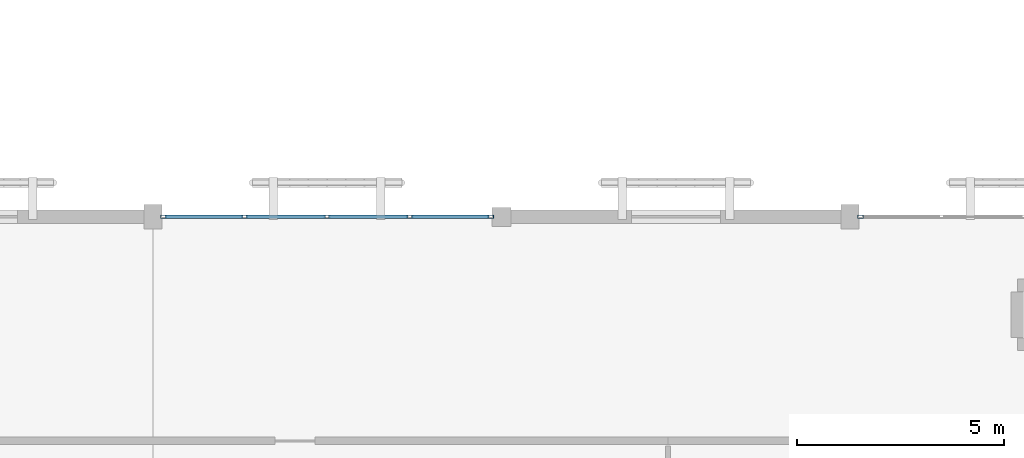
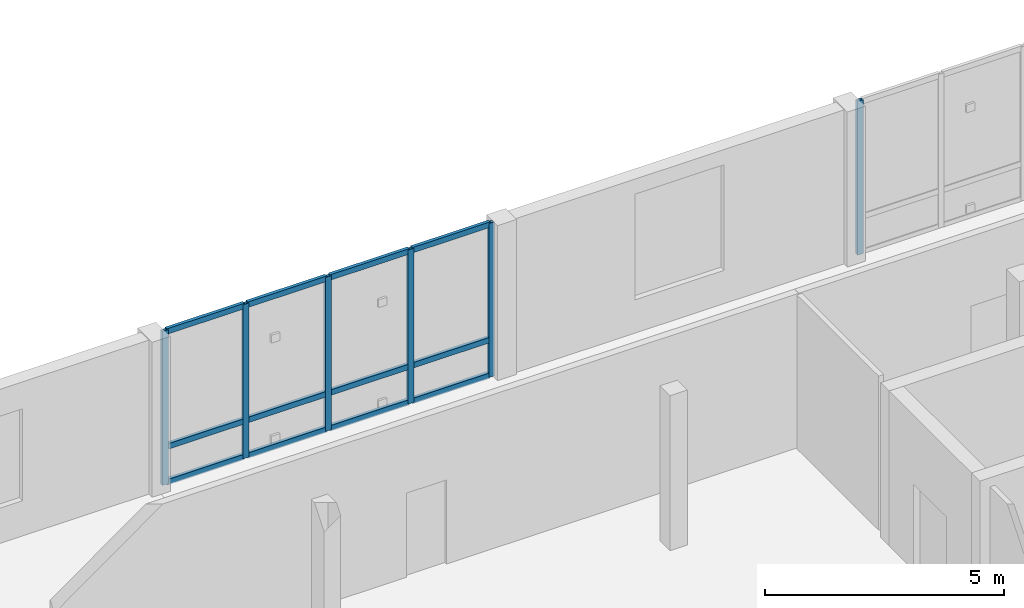
# One storey, part 50 of 217: 18 members, 2 elements without a shape of their own.
"""IFC4 building model written with IfcOpenShell, lengths in metres."""

import ifcopenshell
import ifcopenshell.guid

model = None  # the IFC model being written
_history = None  # IfcOwnerHistory: only IFC2X3 demands one
_inside = {}  # id of a spatial element -> (the spatial element, [elements in it])
_under = {}  # id of a project, library or spatial element -> (it, [spatial elements below it])
_declared = {}  # id of a project -> (the project, [libraries it declares])
_typed = {}  # id of a type object -> (the type object, [elements of that type])
_made_of = {}  # id of a material, layer set ... -> (it, [elements and type objects made of it])


def new_model(schema):
    """Start an empty IFC model of exactly this schema.

    Asked for "IFC4X3", IfcOpenShell would pick the latest addendum, in which some entities
    have other attributes; the version numbers below select the first issue.
    IFC2X3 requires an IfcOwnerHistory on every rooted entity: one is made here for all.
    """
    global model, _history
    if schema == "IFC4X3":
        model = ifcopenshell.file(schema_version=(4, 3, 0, 0))
    else:
        model = ifcopenshell.file(schema=schema)
    _inside.clear()
    _under.clear()
    _declared.clear()
    _typed.clear()
    _made_of.clear()
    _history = None
    if model.schema == "IFC2X3":
        org = make("IfcOrganization", Name="unknown")
        user = make(
            "IfcPersonAndOrganization",
            ThePerson=make("IfcPerson", FamilyName="unknown"),
            TheOrganization=org,
        )
        app = make(
            "IfcApplication",
            ApplicationDeveloper=org,
            Version="unknown",
            ApplicationFullName="unknown",
            ApplicationIdentifier="unknown",
        )
        _history = make(
            "IfcOwnerHistory",
            OwningUser=user,
            OwningApplication=app,
            ChangeAction="ADDED",
            CreationDate=0,
        )
    return model


def make(cls, **values):
    """One entity of the class cls with the attributes given. An attribute that is None is left unset."""
    return model.create_entity(
        cls, **{name: value for name, value in values.items() if value is not None}
    )


def rooted(cls, **values):
    """An entity with a GlobalId (a new one), such as an element, a storey or a relation."""
    return make(cls, GlobalId=ifcopenshell.guid.new(), OwnerHistory=_history, **values)


def si_unit(unit_type, name, prefix=None):
    """IfcSIUnit, for example si_unit("LENGTHUNIT", "METRE", prefix="MILLI")."""
    return make("IfcSIUnit", UnitType=unit_type, Prefix=prefix, Name=name)


def assignment(units):
    """IfcUnitAssignment: the units of a project."""
    return None if units is None else make("IfcUnitAssignment", Units=units)


def point(xyz):
    """IfcCartesianPoint."""
    return None if xyz is None else make("IfcCartesianPoint", Coordinates=xyz)


def direction(xyz):
    """IfcDirection."""
    return None if xyz is None else make("IfcDirection", DirectionRatios=xyz)


def frame(location, z_axis=None, x_axis=None):
    """IfcAxis2Placement3D, a coordinate frame: its origin and axes. An axis left out is left unset."""
    return make(
        "IfcAxis2Placement3D",
        Location=point(location),
        Axis=direction(z_axis),
        RefDirection=direction(x_axis),
    )


def frame_2d(location, x_axis=None):
    """IfcAxis2Placement2D, a coordinate frame in the plane: its origin and x axis."""
    return make(
        "IfcAxis2Placement2D", Location=point(location), RefDirection=direction(x_axis)
    )


def origin():
    """The frame at (0, 0, 0) with its axes left unset."""
    return frame((0.0, 0.0, 0.0))


def origin_2d():
    """The frame at (0, 0) in the plane with its x axis left unset."""
    return frame_2d((0.0, 0.0))


def place(relative_to, where):
    """IfcLocalPlacement: puts the frame where relative to a parent placement (None: the world)."""
    return make(
        "IfcLocalPlacement", PlacementRelTo=relative_to, RelativePlacement=where
    )


def context(
    kind, dimensions, precision=None, world=None, true_north=None, identifier=None
):
    """IfcGeometricRepresentationContext, for example the 3D "Model" context."""
    return make(
        "IfcGeometricRepresentationContext",
        ContextIdentifier=identifier,
        ContextType=kind,
        CoordinateSpaceDimension=dimensions,
        Precision=precision,
        WorldCoordinateSystem=world,
        TrueNorth=true_north,
    )


def subcontext(parent, identifier, kind, view, scale=None):
    """IfcGeometricRepresentationSubContext, for example "Body" below "Model"."""
    return make(
        "IfcGeometricRepresentationSubContext",
        ContextIdentifier=identifier,
        ContextType=kind,
        ParentContext=parent,
        TargetScale=scale,
        TargetView=view,
    )


def project(units=None, contexts=None):
    """IfcProject with its units and contexts."""
    return rooted(
        "IfcProject",
        Name="project",
        RepresentationContexts=contexts,
        UnitsInContext=assignment(units),
    )


def spatial(cls, under=None, at=None, **own):
    """A site, building, storey or space (cls), placed at a placement, below another one or the project."""
    s = rooted(cls, ObjectPlacement=at, **own)
    if under is not None:
        _under.setdefault(under.id(), (under, []))[1].append(s)
    return s


def profile(cls, at=None, kind="AREA", **sizes):
    """A parametric profile (cls). Its sizes go by their IFC names, for example OverallWidth=200.0."""
    return make(cls, ProfileType=kind, Position=at, **sizes)


def hollow_rectangle(**sizes):
    """IfcRectangleHollowProfileDef."""
    return profile("IfcRectangleHollowProfileDef", **sizes)


def extrude(swept, where, along, depth):
    """IfcExtrudedAreaSolid: the profile swept, set in the frame where, extruded along a direction by depth."""
    return make(
        "IfcExtrudedAreaSolid",
        SweptArea=swept,
        Position=where,
        ExtrudedDirection=direction(along),
        Depth=depth,
    )


def shape(context_of_items, identifier, shape_type, items):
    """IfcShapeRepresentation: the items that make up one representation, for example the "Body"."""
    return make(
        "IfcShapeRepresentation",
        ContextOfItems=context_of_items,
        RepresentationIdentifier=identifier,
        RepresentationType=shape_type,
        Items=items,
    )


def material(Name=None, Category=None):
    """IfcMaterial."""
    return make("IfcMaterial", Name=Name, Category=Category)


def layer(
    of_material, thickness, ventilated=None, Name=None, Category=None, Priority=None
):
    """IfcMaterialLayer: one layer of a wall or slab, of a material (None: an air gap)."""
    return make(
        "IfcMaterialLayer",
        Material=of_material,
        LayerThickness=thickness,
        IsVentilated=ventilated,
        Name=Name,
        Category=Category,
        Priority=Priority,
    )


def layer_set(layers, Name=None):
    """IfcMaterialLayerSet."""
    return make("IfcMaterialLayerSet", MaterialLayers=layers, LayerSetName=Name)


def material_profile(
    of_material, cross_section, Name=None, Category=None, Priority=None
):
    """IfcMaterialProfile: a cross section and its material."""
    return make(
        "IfcMaterialProfile",
        Name=Name,
        Material=of_material,
        Profile=cross_section,
        Priority=Priority,
        Category=Category,
    )


def profile_set(profiles, Name=None, composite=None):
    """IfcMaterialProfileSet."""
    return make(
        "IfcMaterialProfileSet",
        Name=Name,
        MaterialProfiles=profiles,
        CompositeProfile=composite,
    )


def made_of(thing, what):
    """Note that an element or type object is made of a material, layer set ...; save() writes the relation."""
    if what is not None:
        _made_of.setdefault(what.id(), (what, []))[1].append(thing)
    return thing


def type_object(cls, material=None, **own):
    """A type object (cls), such as IfcWallType, which elements share."""
    return made_of(rooted(cls, **own), material)


def element(
    cls,
    number,
    at=None,
    inside=None,
    cuts=None,
    type_object=None,
    material=None,
    context=None,
    identifier="Body",
    shape_type=None,
    held_by="IfcProductDefinitionShape",
    body=None,
    shapes=None,
    **own,
):
    """One element of the class cls, such as IfcWall. Its Tag is "e" and its number.

    at: its placement. inside: the storey or other place that contains it. cuts: it is an
    opening in that element (IfcRelVoidsElement). A single representation is given by context,
    identifier, shape_type and body (its items); several are given by shapes. held_by: the class
    of the entity that holds the representations. save() writes the other relations.
    """
    e = rooted(cls, Tag="e%d" % number, ObjectPlacement=at, **own)
    if body is not None:
        shapes = [shape(context, identifier, shape_type, body)]
    if shapes is not None:
        e.Representation = make(held_by, Representations=shapes)
    if inside is not None:
        _inside.setdefault(inside.id(), (inside, []))[1].append(e)
    if cuts is not None:
        rooted(
            "IfcRelVoidsElement", RelatingBuildingElement=cuts, RelatedOpeningElement=e
        )
    if type_object is not None:
        _typed.setdefault(type_object.id(), (type_object, []))[1].append(e)
    return made_of(e, material)


def aggregate(whole, parts):
    """IfcRelAggregates: a whole, such as a stair, and the parts it consists of."""
    return rooted("IfcRelAggregates", RelatingObject=whole, RelatedObjects=parts)


def save(model, path):
    """Write the relations noted so far, then the file.

    IfcRelAggregates (storeys below a building ...), IfcRelContainedInSpatialStructure (elements
    in a storey), IfcRelDefinesByType, IfcRelAssociatesMaterial and IfcRelDeclares: one each for
    every whole, place, type object, material and project.
    """
    for whole, parts in _under.values():
        aggregate(whole, parts)
    for where, things in _inside.values():
        rooted(
            "IfcRelContainedInSpatialStructure",
            RelatedElements=things,
            RelatingStructure=where,
        )
    for kind, things in _typed.values():
        rooted("IfcRelDefinesByType", RelatedObjects=things, RelatingType=kind)
    for what, things in _made_of.values():
        rooted("IfcRelAssociatesMaterial", RelatedObjects=things, RelatingMaterial=what)
    for by, libraries in _declared.values():
        rooted("IfcRelDeclares", RelatingContext=by, RelatedDefinitions=libraries)
    model.write(path)


model = new_model("IFC4")

# Units and contexts
model_context = context("Model", 3, precision=1e-05, world=origin(), true_north=direction((0.0, 1.0)))
body_context = subcontext(model_context, "Body", "Model", "MODEL_VIEW")
ifc_project = project(units=[si_unit("LENGTHUNIT", "METRE"), si_unit("AREAUNIT", "SQUARE_METRE"), si_unit("VOLUMEUNIT", "CUBIC_METRE"), si_unit("PLANEANGLEUNIT", "RADIAN"), si_unit("MASSUNIT", "GRAM", prefix="KILO")], contexts=[model_context])

# Site, building, storey
site_placement = place(None, origin())
site = spatial("IfcSite", under=ifc_project, at=site_placement, CompositionType="ELEMENT")
building_placement = place(site_placement, origin())
building = spatial("IfcBuilding", under=site, at=building_placement, Name="Mazaris Harbour Polytechnic", CompositionType="ELEMENT")
storey_placement = place(building_placement, frame((0.0, 0.0, 9.60009765625)))
storey = spatial("IfcBuildingStorey", under=building, at=storey_placement, Name="L02", CompositionType="ELEMENT", Elevation=9.60009765625)

# Curtain wall, members
ifc_material_1 = material(Name="Anodised Bronze Aluminium and Low-E Glass", Category="aluminium")
ifc_layer = layer(ifc_material_1, 0.159912109375, Name="Anodised Bronze Aluminium and Low-E Glass")
ifc_layer_set = layer_set([ifc_layer], Name="Anodised Bronze Aluminium and Low-E Glass")
curtain_wall_type = type_object("IfcCurtainWallType", Name="Cloister Court Curtain Wall", PredefinedType="NOTDEFINED", material=ifc_layer_set)
curtain_wall_1_placement = place(storey_placement, origin())
curtain_wall_1 = element("IfcCurtainWall", 1, at=curtain_wall_1_placement, inside=storey, type_object=curtain_wall_type, Name="V3 L02 Curtain Wall 88", PredefinedType="NOTDEFINED")
ifc_material_2 = material(Name="Anodised Bronze Steel S355", Category="steel")
ifc_material_profile_1 = material_profile(ifc_material_2, hollow_rectangle(XDim=0.080078125, YDim=0.139892578125, WallThickness=0.00634765625, at=origin_2d()), Name="RHS 80x140x6.3")
ifc_profile_set_1 = profile_set([ifc_material_profile_1], Name="Anodised Bronze Steel S355")
member_type_1 = type_object("IfcMemberType", Name="Curtain Mullion RHS80x140", PredefinedType="MULLION", material=ifc_profile_set_1)
member_1_placement = place(storey_placement, frame((87.85205078125, 36.0, 0.0), z_axis=(0.0, 0.0, 1.0), x_axis=(0.0, 1.0, 0.0)))
member_1 = element("IfcMember", 2, at=member_1_placement, type_object=member_type_1, Name="CW-02 mullion 1", PredefinedType="MULLION", context=body_context, shape_type="SweptSolid", body=[
    extrude(hollow_rectangle(XDim=0.080078125, YDim=0.139892578125, WallThickness=0.00634765625, at=origin_2d()), origin(), (0.0, 0.0, 1.0), 3.934814453125),
])
member_2_placement = place(storey_placement, frame((89.803466796875, 36.0, 0.0), z_axis=(0.0, 0.0, 1.0), x_axis=(0.0, 1.0, 0.0)))
member_2 = element("IfcMember", 3, at=member_2_placement, type_object=member_type_1, Name="CW-02 mullion 2", PredefinedType="MULLION", context=body_context, shape_type="SweptSolid", body=[
    extrude(hollow_rectangle(XDim=0.080078125, YDim=0.139892578125, WallThickness=0.00634765625, at=origin_2d()), origin(), (0.0, 0.0, 1.0), 3.934814453125),
])
member_3_placement = place(storey_placement, frame((91.794921875, 36.0, 0.0), z_axis=(0.0, 0.0, 1.0), x_axis=(0.0, 1.0, 0.0)))
member_3 = element("IfcMember", 4, at=member_3_placement, type_object=member_type_1, Name="CW-02 mullion 3", PredefinedType="MULLION", context=body_context, shape_type="SweptSolid", body=[
    extrude(hollow_rectangle(XDim=0.080078125, YDim=0.139892578125, WallThickness=0.00634765625, at=origin_2d()), origin(), (0.0, 0.0, 1.0), 3.934814453125),
])
member_4_placement = place(storey_placement, frame((93.78662109375, 36.0, 0.0), z_axis=(0.0, 0.0, 1.0), x_axis=(0.0, 1.0, 0.0)))
member_4 = element("IfcMember", 5, at=member_4_placement, type_object=member_type_1, Name="CW-02 mullion 4", PredefinedType="MULLION", context=body_context, shape_type="SweptSolid", body=[
    extrude(hollow_rectangle(XDim=0.080078125, YDim=0.139892578125, WallThickness=0.00634765625, at=origin_2d()), origin(), (0.0, 0.0, 1.0), 3.934814453125),
])
member_5_placement = place(storey_placement, frame((95.738037109375, 36.0, 0.0), z_axis=(0.0, 0.0, 1.0), x_axis=(0.0, 1.0, 0.0)))
member_5 = element("IfcMember", 6, at=member_5_placement, type_object=member_type_1, Name="CW-02 mullion 5", PredefinedType="MULLION", context=body_context, shape_type="SweptSolid", body=[
    extrude(hollow_rectangle(XDim=0.080078125, YDim=0.139892578125, WallThickness=0.00634765625, at=origin_2d()), origin(), (0.0, 0.0, 1.0), 3.934814453125),
])

# Curtain wall, member
curtain_wall_2_placement = place(storey_placement, origin())
curtain_wall_2 = element("IfcCurtainWall", 7, at=curtain_wall_2_placement, inside=storey, type_object=curtain_wall_type, Name="V3 L02 Curtain Wall 89", PredefinedType="NOTDEFINED")
member_6_placement = place(storey_placement, frame((104.652099609375, 36.0, 0.0), z_axis=(0.0, 0.0, 1.0), x_axis=(0.0, 1.0, 0.0)))
member_6 = element("IfcMember", 8, at=member_6_placement, type_object=member_type_1, Name="CW-02 mullion 1", PredefinedType="MULLION", context=body_context, shape_type="SweptSolid", body=[
    extrude(hollow_rectangle(XDim=0.080078125, YDim=0.139892578125, WallThickness=0.00634765625, at=origin_2d()), origin(), (0.0, 0.0, 1.0), 3.934814453125),
])
aggregate(curtain_wall_2, [member_6])

# Member
ifc_material_3 = material(Name="Anodised Bronze Steel S355", Category="steel")
ifc_material_profile_2 = material_profile(ifc_material_3, hollow_rectangle(XDim=0.080078125, YDim=0.139892578125, WallThickness=0.00634765625, at=origin_2d()), Name="RHS 80x140x6.3")
ifc_profile_set_2 = profile_set([ifc_material_profile_2], Name="Anodised Bronze Steel S355")
member_type_2 = type_object("IfcMemberType", Name="Curtain Transom RHS80x140", PredefinedType="USERDEFINED", material=ifc_profile_set_2)
member_7_placement = place(storey_placement, frame((87.89208984375, 36.0, 0.039794921875), z_axis=(1.0, 0.0, 0.0), x_axis=(0.0, 1.0, 0.0)))
member_7 = element("IfcMember", 9, at=member_7_placement, type_object=member_type_2, Name="CW-02 transom 1.1", ObjectType="TRANSOM", PredefinedType="USERDEFINED", context=body_context, shape_type="SweptSolid", body=[
    extrude(hollow_rectangle(XDim=0.080078125, YDim=0.139892578125, WallThickness=0.00634765625, at=origin_2d()), origin(), (0.0, 0.0, 1.0), 1.871337890625),
])

member_8_placement = place(storey_placement, frame((87.89208984375, 36.0, 0.949951171875), z_axis=(1.0, 0.0, 0.0), x_axis=(0.0, 1.0, 0.0)))
member_8 = element("IfcMember", 10, at=member_8_placement, type_object=member_type_2, Name="CW-02 transom 1.2", ObjectType="TRANSOM", PredefinedType="USERDEFINED", context=body_context, shape_type="SweptSolid", body=[
    extrude(hollow_rectangle(XDim=0.080078125, YDim=0.139892578125, WallThickness=0.00634765625, at=origin_2d()), origin(), (0.0, 0.0, 1.0), 1.871337890625),
])

member_9_placement = place(storey_placement, frame((87.89208984375, 36.0, 3.89501953125), z_axis=(1.0, 0.0, 0.0), x_axis=(0.0, 1.0, 0.0)))
member_9 = element("IfcMember", 11, at=member_9_placement, type_object=member_type_2, Name="CW-02 transom 1.3", ObjectType="TRANSOM", PredefinedType="USERDEFINED", context=body_context, shape_type="SweptSolid", body=[
    extrude(hollow_rectangle(XDim=0.080078125, YDim=0.139892578125, WallThickness=0.00634765625, at=origin_2d()), origin(), (0.0, 0.0, 1.0), 1.871337890625),
])

member_10_placement = place(storey_placement, frame((89.843505859375, 36.0, 0.039794921875), z_axis=(1.0, 0.0, 0.0), x_axis=(0.0, 1.0, 0.0)))
member_10 = element("IfcMember", 12, at=member_10_placement, type_object=member_type_2, Name="CW-02 transom 2.1", ObjectType="TRANSOM", PredefinedType="USERDEFINED", context=body_context, shape_type="SweptSolid", body=[
    extrude(hollow_rectangle(XDim=0.080078125, YDim=0.139892578125, WallThickness=0.00634765625, at=origin_2d()), origin(), (0.0, 0.0, 1.0), 1.911376953125),
])

member_11_placement = place(storey_placement, frame((89.843505859375, 36.0, 0.949951171875), z_axis=(1.0, 0.0, 0.0), x_axis=(0.0, 1.0, 0.0)))
member_11 = element("IfcMember", 13, at=member_11_placement, type_object=member_type_2, Name="CW-02 transom 2.2", ObjectType="TRANSOM", PredefinedType="USERDEFINED", context=body_context, shape_type="SweptSolid", body=[
    extrude(hollow_rectangle(XDim=0.080078125, YDim=0.139892578125, WallThickness=0.00634765625, at=origin_2d()), origin(), (0.0, 0.0, 1.0), 1.911376953125),
])

member_12_placement = place(storey_placement, frame((89.843505859375, 36.0, 3.89501953125), z_axis=(1.0, 0.0, 0.0), x_axis=(0.0, 1.0, 0.0)))
member_12 = element("IfcMember", 14, at=member_12_placement, type_object=member_type_2, Name="CW-02 transom 2.3", ObjectType="TRANSOM", PredefinedType="USERDEFINED", context=body_context, shape_type="SweptSolid", body=[
    extrude(hollow_rectangle(XDim=0.080078125, YDim=0.139892578125, WallThickness=0.00634765625, at=origin_2d()), origin(), (0.0, 0.0, 1.0), 1.911376953125),
])

member_13_placement = place(storey_placement, frame((91.8349609375, 36.0, 0.039794921875), z_axis=(1.0, 0.0, 0.0), x_axis=(0.0, 1.0, 0.0)))
member_13 = element("IfcMember", 15, at=member_13_placement, type_object=member_type_2, Name="CW-02 transom 3.1", ObjectType="TRANSOM", PredefinedType="USERDEFINED", context=body_context, shape_type="SweptSolid", body=[
    extrude(hollow_rectangle(XDim=0.080078125, YDim=0.139892578125, WallThickness=0.00634765625, at=origin_2d()), origin(), (0.0, 0.0, 1.0), 1.91162109375),
])

member_14_placement = place(storey_placement, frame((91.8349609375, 36.0, 0.949951171875), z_axis=(1.0, 0.0, 0.0), x_axis=(0.0, 1.0, 0.0)))
member_14 = element("IfcMember", 16, at=member_14_placement, type_object=member_type_2, Name="CW-02 transom 3.2", ObjectType="TRANSOM", PredefinedType="USERDEFINED", context=body_context, shape_type="SweptSolid", body=[
    extrude(hollow_rectangle(XDim=0.080078125, YDim=0.139892578125, WallThickness=0.00634765625, at=origin_2d()), origin(), (0.0, 0.0, 1.0), 1.91162109375),
])

member_15_placement = place(storey_placement, frame((91.8349609375, 36.0, 3.89501953125), z_axis=(1.0, 0.0, 0.0), x_axis=(0.0, 1.0, 0.0)))
member_15 = element("IfcMember", 17, at=member_15_placement, type_object=member_type_2, Name="CW-02 transom 3.3", ObjectType="TRANSOM", PredefinedType="USERDEFINED", context=body_context, shape_type="SweptSolid", body=[
    extrude(hollow_rectangle(XDim=0.080078125, YDim=0.139892578125, WallThickness=0.00634765625, at=origin_2d()), origin(), (0.0, 0.0, 1.0), 1.91162109375),
])

member_16_placement = place(storey_placement, frame((93.826416015625, 36.0, 0.039794921875), z_axis=(1.0, 0.0, 0.0), x_axis=(0.0, 1.0, 0.0)))
member_16 = element("IfcMember", 18, at=member_16_placement, type_object=member_type_2, Name="CW-02 transom 4.1", ObjectType="TRANSOM", PredefinedType="USERDEFINED", context=body_context, shape_type="SweptSolid", body=[
    extrude(hollow_rectangle(XDim=0.080078125, YDim=0.139892578125, WallThickness=0.00634765625, at=origin_2d()), origin(), (0.0, 0.0, 1.0), 1.87158203125),
])

member_17_placement = place(storey_placement, frame((93.826416015625, 36.0, 0.949951171875), z_axis=(1.0, 0.0, 0.0), x_axis=(0.0, 1.0, 0.0)))
member_17 = element("IfcMember", 19, at=member_17_placement, type_object=member_type_2, Name="CW-02 transom 4.2", ObjectType="TRANSOM", PredefinedType="USERDEFINED", context=body_context, shape_type="SweptSolid", body=[
    extrude(hollow_rectangle(XDim=0.080078125, YDim=0.139892578125, WallThickness=0.00634765625, at=origin_2d()), origin(), (0.0, 0.0, 1.0), 1.87158203125),
])

member_18_placement = place(storey_placement, frame((93.826416015625, 36.0, 3.89501953125), z_axis=(1.0, 0.0, 0.0), x_axis=(0.0, 1.0, 0.0)))
member_18 = element("IfcMember", 20, at=member_18_placement, type_object=member_type_2, Name="CW-02 transom 4.3", ObjectType="TRANSOM", PredefinedType="USERDEFINED", context=body_context, shape_type="SweptSolid", body=[
    extrude(hollow_rectangle(XDim=0.080078125, YDim=0.139892578125, WallThickness=0.00634765625, at=origin_2d()), origin(), (0.0, 0.0, 1.0), 1.87158203125),
])

aggregate(curtain_wall_1, [member_1, member_2, member_3, member_4, member_5, member_7, member_8, member_9, member_10, member_11, member_12, member_13, member_14, member_15, member_16, member_17, member_18])

save(model, "model.ifc")
